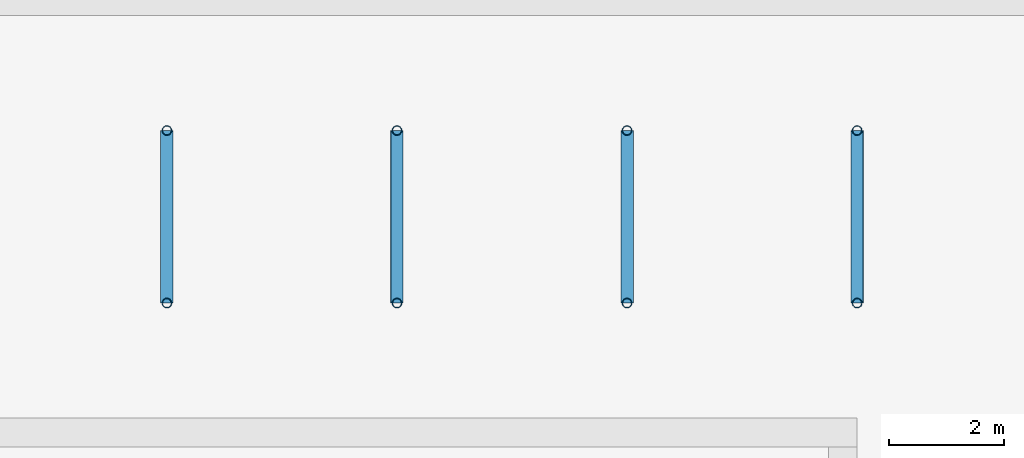
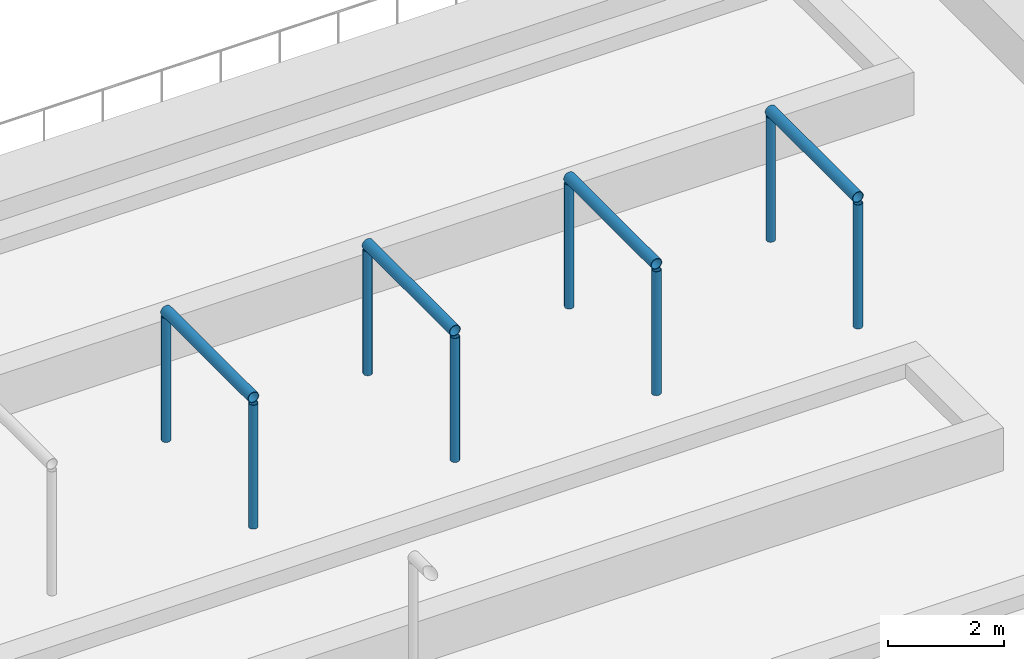
# One storey, part 15 of 34: 12 members.
"""IFC4 building model written with IfcOpenShell, lengths in metres."""

from ifc_helpers import new_model, si_unit, direction, frame, origin, origin_2d, place, context, subcontext, project, spatial, hollow_circle, extrude, material, material_profile, profile_set, type_object, element, save


model = new_model("IFC4")

# Units and contexts
model_context = context("Model", 3, precision=1e-05, world=origin(), true_north=direction((0.0, 1.0)))
body_context = subcontext(model_context, "Body", "Model", "MODEL_VIEW")
ifc_project = project(units=[si_unit("LENGTHUNIT", "METRE"), si_unit("AREAUNIT", "SQUARE_METRE"), si_unit("VOLUMEUNIT", "CUBIC_METRE"), si_unit("PLANEANGLEUNIT", "RADIAN"), si_unit("MASSUNIT", "GRAM", prefix="KILO")], contexts=[model_context])

# Site, building, storey
site_placement = place(None, origin())
site = spatial("IfcSite", under=ifc_project, at=site_placement, CompositionType="ELEMENT")
building_placement = place(site_placement, origin())
building = spatial("IfcBuilding", under=site, at=building_placement, Name="Amberfall Residences", CompositionType="ELEMENT")
storey_placement = place(building_placement, frame((0.0, 0.0, 5.5)))
storey = spatial("IfcBuildingStorey", under=building, at=storey_placement, Name="L01", CompositionType="ELEMENT", Elevation=5.5)

# Members
ifc_material = material(Name="Steel S355", Category="steel")
ifc_material_profile_1 = material_profile(ifc_material, hollow_circle(Radius=0.109619140625, WallThickness=0.010009765625, at=origin_2d()), Name="CHS 219.1x10")
ifc_profile_set_1 = profile_set([ifc_material_profile_1], Name="Steel S355")
member_type_1 = type_object("IfcMemberType", Name="Pergola beam CHS 219.1x10", PredefinedType="STRUT", material=ifc_profile_set_1)
for number, where, z_axis, x_axis, name in (
    (1, (118.0, 73.0, 2.70947265625), (0.0, 1.0, 0.0), (-1.0, 0.0, 0.0), "Pergola beam B4"),
    (2, (122.0, 73.0, 2.70947265625), (0.0, 1.0, 0.0), (-1.0, 0.0, 0.0), "Pergola beam B5"),
    (3, (126.0, 73.0, 2.70947265625), (0.0, 1.0, 0.0), (-1.0, 0.0, 0.0), "Pergola beam B6"),
    (4, (130.0, 73.0, 2.70947265625), (0.0, 1.0, 0.0), (-1.0, 0.0, 0.0), "Pergola beam B7"),
):
    element("IfcMember", number, at=place(storey_placement, frame(where, z_axis=z_axis, x_axis=x_axis)), inside=storey, type_object=member_type_1, Name=name, PredefinedType="STRUT", context=body_context, shape_type="SweptSolid", body=[
        extrude(hollow_circle(Radius=0.109619140625, WallThickness=0.010009765625, at=origin_2d()), origin(), (0.0, 0.0, 1.0), 3.0),
    ])
ifc_material_profile_2 = material_profile(ifc_material, hollow_circle(Radius=0.084228515625, WallThickness=0.008056640625, at=origin_2d()), Name="CHS 168.3x8")
ifc_profile_set_2 = profile_set([ifc_material_profile_2], Name="Steel S355")
member_type_2 = type_object("IfcMemberType", Name="Pergola post CHS 168.3x8", PredefinedType="POST", material=ifc_profile_set_2)
for number, where, z_axis, x_axis, name in (
    (5, (118.0, 73.0, 0.0), (0.0, 0.0, 1.0), (1.0, 0.0, 0.0), "Pergola post B4"),
    (6, (118.0, 76.0, 0.0), (0.0, 0.0, 1.0), (1.0, 0.0, 0.0), "Pergola post B4"),
    (7, (122.0, 73.0, 0.0), (0.0, 0.0, 1.0), (1.0, 0.0, 0.0), "Pergola post B5"),
    (8, (122.0, 76.0, 0.0), (0.0, 0.0, 1.0), (1.0, 0.0, 0.0), "Pergola post B5"),
    (9, (126.0, 73.0, 0.0), (0.0, 0.0, 1.0), (1.0, 0.0, 0.0), "Pergola post B6"),
    (10, (126.0, 76.0, 0.0), (0.0, 0.0, 1.0), (1.0, 0.0, 0.0), "Pergola post B6"),
    (11, (130.0, 73.0, 0.0), (0.0, 0.0, 1.0), (1.0, 0.0, 0.0), "Pergola post B7"),
    (12, (130.0, 76.0, 0.0), (0.0, 0.0, 1.0), (1.0, 0.0, 0.0), "Pergola post B7"),
):
    element("IfcMember", number, at=place(storey_placement, frame(where, z_axis=z_axis, x_axis=x_axis)), inside=storey, type_object=member_type_2, Name=name, PredefinedType="POST", context=body_context, shape_type="SweptSolid", body=[
        extrude(hollow_circle(Radius=0.084228515625, WallThickness=0.008056640625, at=origin_2d()), origin(), (0.0, 0.0, 1.0), 2.60009765625),
    ])

save(model, "model.ifc")
